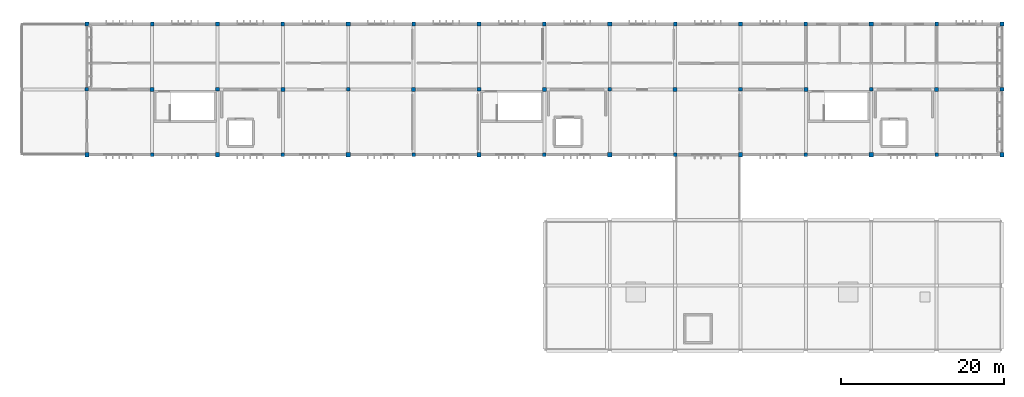
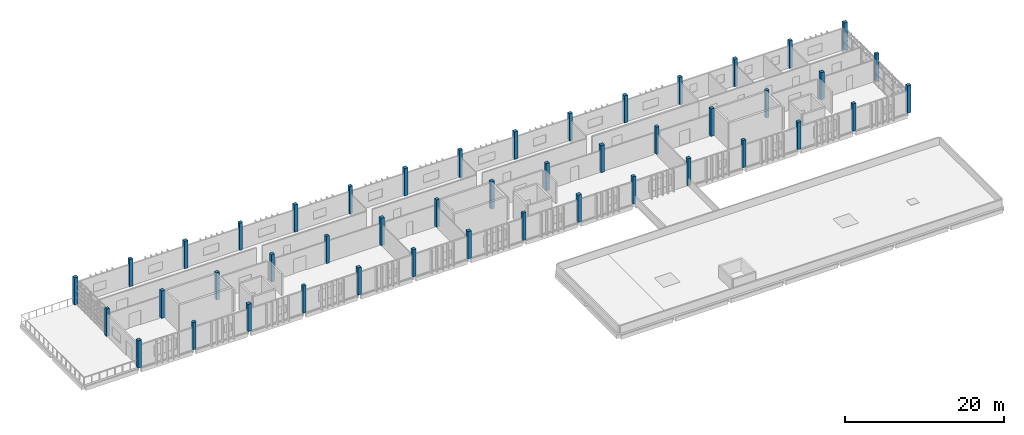
# One storey, part 1 of 16: 45 columns.
"""IFC4 building model written with IfcOpenShell, lengths in metres."""

from ifc_helpers import new_model, si_unit, direction, frame, origin, origin_2d, place, context, subcontext, project, spatial, rectangle, extrude, material, material_profile, profile_set, type_object, element, save


model = new_model("IFC4")

# Units and contexts
model_context = context("Model", 3, precision=1e-05, world=origin(), true_north=direction((0.0, 1.0)))
body_context = subcontext(model_context, "Body", "Model", "MODEL_VIEW")
ifc_project = project(units=[si_unit("LENGTHUNIT", "METRE"), si_unit("AREAUNIT", "SQUARE_METRE"), si_unit("VOLUMEUNIT", "CUBIC_METRE"), si_unit("PLANEANGLEUNIT", "RADIAN"), si_unit("MASSUNIT", "GRAM", prefix="KILO")], contexts=[model_context])

# Site, building, storey
site_placement = place(None, origin())
site = spatial("IfcSite", under=ifc_project, at=site_placement, CompositionType="ELEMENT")
building_placement = place(site_placement, origin())
building = spatial("IfcBuilding", under=site, at=building_placement, Name="Jelvoka-Kovrelna Polytechnic", CompositionType="ELEMENT")
storey_placement = place(building_placement, frame((0.0, 0.0, 30.60009765625)))
storey = spatial("IfcBuildingStorey", under=building, at=storey_placement, Name="L08", CompositionType="ELEMENT", Elevation=30.60009765625)

# Columns
ifc_material_1 = material(Name="Concrete C40/50", Category="concrete")
ifc_material_profile_1 = material_profile(ifc_material_1, rectangle(XDim=0.449951171875, YDim=0.449951171875, at=origin_2d()), Name="RC 450x450")
ifc_profile_set_1 = profile_set([ifc_material_profile_1], Name="Concrete C40/50")
column_type_1 = type_object("IfcColumnType", Name="Col_RC_450", PredefinedType="COLUMN", material=ifc_profile_set_1)
for number, where, z_axis, x_axis, name in (
    (1, (80.0, 56.0, 0.0), (0.0, 0.0, 1.0), (1.0, 0.0, 0.0), "L08 column 1009"),
    (2, (96.0, 56.0, 0.0), (0.0, 0.0, 1.0), (1.0, 0.0, 0.0), "L08 column 1027"),
    (3, (112.0, 56.0, 0.0), (0.0, 0.0, 1.0), (1.0, 0.0, 0.0), "L08 column 1045"),
    (4, (128.0, 56.0, 0.0), (0.0, 0.0, 1.0), (1.0, 0.0, 0.0), "L08 column 1063"),
    (5, (144.0, 56.0, 0.0), (0.0, 0.0, 1.0), (1.0, 0.0, 0.0), "L08 column 1081"),
    (6, (160.0, 56.0, 0.0), (0.0, 0.0, 1.0), (1.0, 0.0, 0.0), "L08 column 1099"),
    (7, (176.0, 56.0, 0.0), (0.0, 0.0, 1.0), (1.0, 0.0, 0.0), "L08 column 1117"),
    (8, (72.0, 64.0, 0.0), (0.0, 0.0, 1.0), (1.0, 0.0, 0.0), "L08 column 1167"),
    (9, (88.0, 64.0, 0.0), (0.0, 0.0, 1.0), (1.0, 0.0, 0.0), "L08 column 1185"),
    (10, (104.0, 64.0, 0.0), (0.0, 0.0, 1.0), (1.0, 0.0, 0.0), "L08 column 1203"),
    (11, (120.0, 64.0, 0.0), (0.0, 0.0, 1.0), (1.0, 0.0, 0.0), "L08 column 1221"),
    (12, (136.0, 64.0, 0.0), (0.0, 0.0, 1.0), (1.0, 0.0, 0.0), "L08 column 1239"),
    (13, (152.0, 64.0, 0.0), (0.0, 0.0, 1.0), (1.0, 0.0, 0.0), "L08 column 1257"),
    (14, (168.0, 64.0, 0.0), (0.0, 0.0, 1.0), (1.0, 0.0, 0.0), "L08 column 1275"),
    (15, (184.0, 64.0, 0.0), (0.0, 0.0, 1.0), (1.0, 0.0, 0.0), "L08 column 1293"),
    (16, (80.0, 72.0, 0.0), (0.0, 0.0, 1.0), (1.0, 0.0, 0.0), "L08 column 1337"),
    (17, (96.0, 72.0, 0.0), (0.0, 0.0, 1.0), (1.0, 0.0, 0.0), "L08 column 1355"),
    (18, (112.0, 72.0, 0.0), (0.0, 0.0, 1.0), (1.0, 0.0, 0.0), "L08 column 1373"),
    (19, (128.0, 72.0, 0.0), (0.0, 0.0, 1.0), (1.0, 0.0, 0.0), "L08 column 1391"),
    (20, (144.0, 72.0, 0.0), (0.0, 0.0, 1.0), (1.0, 0.0, 0.0), "L08 column 1409"),
    (21, (160.0, 72.0, 0.0), (0.0, 0.0, 1.0), (1.0, 0.0, 0.0), "L08 column 1427"),
    (22, (176.0, 72.0, 0.0), (0.0, 0.0, 1.0), (1.0, 0.0, 0.0), "L08 column 1445"),
):
    element("IfcColumn", number, at=place(storey_placement, frame(where, z_axis=z_axis, x_axis=x_axis)), inside=storey, type_object=column_type_1, Name=name, PredefinedType="COLUMN", context=body_context, shape_type="SweptSolid", body=[
        extrude(rectangle(XDim=0.449951171875, YDim=0.449951171875, at=origin_2d()), origin(), (0.0, 0.0, 1.0), 4.199951171875),
    ])
ifc_material_2 = material(Name="Concrete C40/50", Category="concrete")
ifc_material_profile_2 = material_profile(ifc_material_2, rectangle(XDim=0.5, YDim=0.5, at=origin_2d()), Name="RC 500x500")
ifc_profile_set_2 = profile_set([ifc_material_profile_2], Name="Concrete C40/50")
column_type_2 = type_object("IfcColumnType", Name="Col_RC_500", PredefinedType="COLUMN", material=ifc_profile_set_2)
for number, where, z_axis, x_axis, name in (
    (23, (72.0, 56.0, 0.0), (0.0, 0.0, 1.0), (1.0, 0.0, 0.0), "L08 column 1000"),
    (24, (88.0, 56.0, 0.0), (0.0, 0.0, 1.0), (1.0, 0.0, 0.0), "L08 column 1018"),
    (25, (104.0, 56.0, 0.0), (0.0, 0.0, 1.0), (1.0, 0.0, 0.0), "L08 column 1036"),
    (26, (120.0, 56.0, 0.0), (0.0, 0.0, 1.0), (1.0, 0.0, 0.0), "L08 column 1054"),
    (27, (136.0, 56.0, 0.0), (0.0, 0.0, 1.0), (1.0, 0.0, 0.0), "L08 column 1072"),
    (28, (152.0, 56.0, 0.0), (0.0, 0.0, 1.0), (1.0, 0.0, 0.0), "L08 column 1090"),
    (29, (168.0, 56.0, 0.0), (0.0, 0.0, 1.0), (1.0, 0.0, 0.0), "L08 column 1108"),
    (30, (184.0, 56.0, 0.0), (0.0, 0.0, 1.0), (1.0, 0.0, 0.0), "L08 column 1126"),
    (31, (80.0, 64.0, 0.0), (0.0, 0.0, 1.0), (1.0, 0.0, 0.0), "L08 column 1176"),
    (32, (96.0, 64.0, 0.0), (0.0, 0.0, 1.0), (1.0, 0.0, 0.0), "L08 column 1194"),
    (33, (112.0, 64.0, 0.0), (0.0, 0.0, 1.0), (1.0, 0.0, 0.0), "L08 column 1212"),
    (34, (128.0, 64.0, 0.0), (0.0, 0.0, 1.0), (1.0, 0.0, 0.0), "L08 column 1230"),
    (35, (144.0, 64.0, 0.0), (0.0, 0.0, 1.0), (1.0, 0.0, 0.0), "L08 column 1248"),
    (36, (160.0, 64.0, 0.0), (0.0, 0.0, 1.0), (1.0, 0.0, 0.0), "L08 column 1266"),
    (37, (176.0, 64.0, 0.0), (0.0, 0.0, 1.0), (1.0, 0.0, 0.0), "L08 column 1284"),
    (38, (72.0, 72.0, 0.0), (0.0, 0.0, 1.0), (1.0, 0.0, 0.0), "L08 column 1328"),
    (39, (88.0, 72.0, 0.0), (0.0, 0.0, 1.0), (1.0, 0.0, 0.0), "L08 column 1346"),
    (40, (104.0, 72.0, 0.0), (0.0, 0.0, 1.0), (1.0, 0.0, 0.0), "L08 column 1364"),
    (41, (120.0, 72.0, 0.0), (0.0, 0.0, 1.0), (1.0, 0.0, 0.0), "L08 column 1382"),
    (42, (136.0, 72.0, 0.0), (0.0, 0.0, 1.0), (1.0, 0.0, 0.0), "L08 column 1400"),
    (43, (152.0, 72.0, 0.0), (0.0, 0.0, 1.0), (1.0, 0.0, 0.0), "L08 column 1418"),
    (44, (168.0, 72.0, 0.0), (0.0, 0.0, 1.0), (1.0, 0.0, 0.0), "L08 column 1436"),
    (45, (184.0, 72.0, 0.0), (0.0, 0.0, 1.0), (1.0, 0.0, 0.0), "L08 column 1454"),
):
    element("IfcColumn", number, at=place(storey_placement, frame(where, z_axis=z_axis, x_axis=x_axis)), inside=storey, type_object=column_type_2, Name=name, PredefinedType="COLUMN", context=body_context, shape_type="SweptSolid", body=[
        extrude(rectangle(XDim=0.5, YDim=0.5, at=origin_2d()), origin(), (0.0, 0.0, 1.0), 4.199951171875),
    ])

save(model, "model.ifc")
